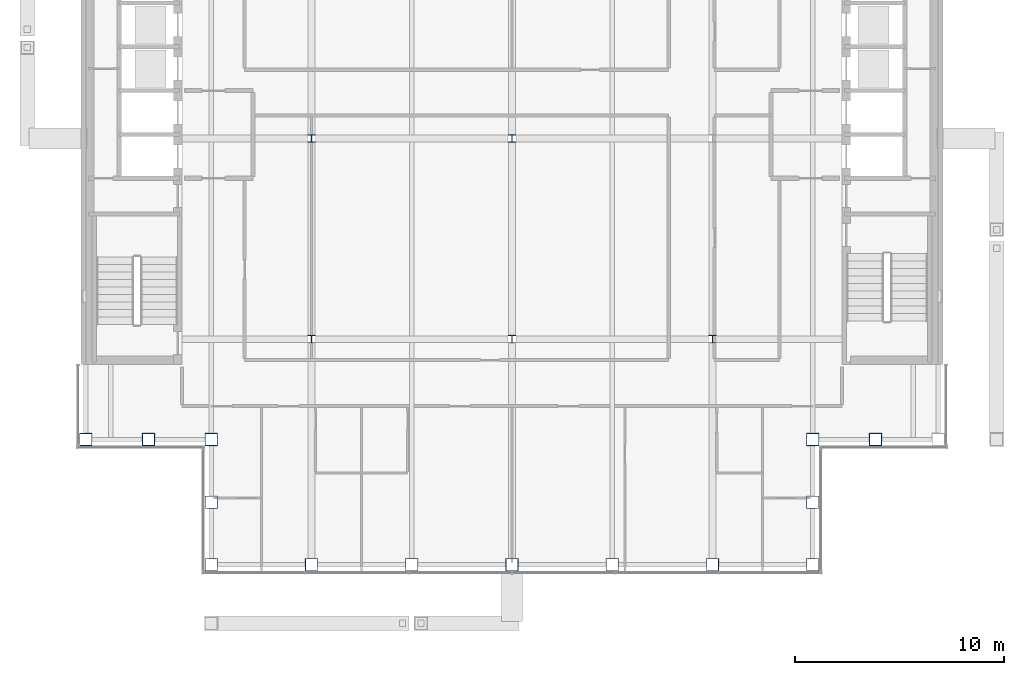
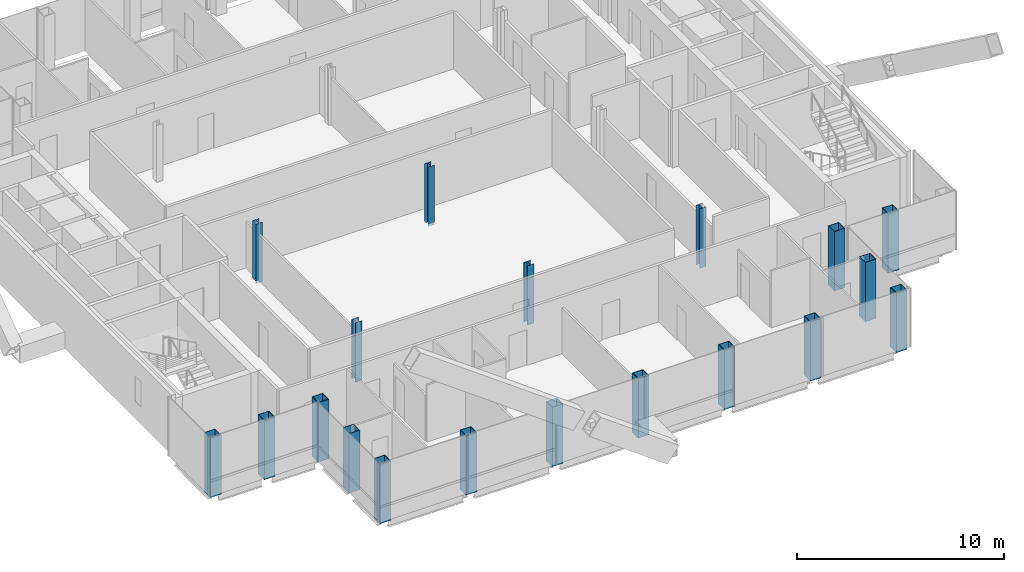
# One storey, part 1 of 15: 19 columns.
"""IFC4 building model written with IfcOpenShell, lengths in metres."""

from ifc_helpers import new_model, si_unit, direction, frame, origin, origin_2d, place, context, subcontext, project, spatial, hollow_rectangle, i_section, extrude, material, material_profile, profile_set, type_object, element, save


model = new_model("IFC4")

# Units and contexts
model_context = context("Model", 3, precision=1e-05, world=origin(), true_north=direction((0.0, 1.0)))
body_context = subcontext(model_context, "Body", "Model", "MODEL_VIEW")
ifc_project = project(units=[si_unit("LENGTHUNIT", "METRE"), si_unit("AREAUNIT", "SQUARE_METRE"), si_unit("VOLUMEUNIT", "CUBIC_METRE"), si_unit("PLANEANGLEUNIT", "RADIAN"), si_unit("MASSUNIT", "GRAM", prefix="KILO")], contexts=[model_context])

# Site, building, storey
site_placement = place(None, origin())
site = spatial("IfcSite", under=ifc_project, at=site_placement, CompositionType="ELEMENT")
building_placement = place(site_placement, origin())
building = spatial("IfcBuilding", under=site, at=building_placement, Name="Cobrizo Arcos Hotel Tower", CompositionType="ELEMENT")
storey_placement = place(building_placement, frame((0.0, 0.0, 244.5)))
storey = spatial("IfcBuildingStorey", under=building, at=storey_placement, Name="L64", CompositionType="ELEMENT", Elevation=244.5)

# Columns
ifc_material_1 = material(Name="Steel ASTM A572 Grade 50", Category="steel")
ifc_material_profile_1 = material_profile(ifc_material_1, hollow_rectangle(XDim=0.60009765625, YDim=0.60009765625, WallThickness=0.030029296875, at=origin_2d()), Name="BOX 600X600X30")
ifc_profile_set_1 = profile_set([ifc_material_profile_1], Name="Steel ASTM A572 Grade 50")
column_type_1 = type_object("IfcColumnType", Name="BOX 600X600X30 column", PredefinedType="COLUMN", material=ifc_profile_set_1)
for number, where, z_axis, x_axis, name in (
    (1, (-14.39990234375, -20.39990234375, -0.14990234375), (0.0, 0.0, 1.0), (1.0, 0.0, 0.0), "Perimeter column C12, L64, no. 01"),
    (2, (-9.60009765625, -20.39990234375, -0.14990234375), (0.0, 0.0, 1.0), (1.0, 0.0, 0.0), "Perimeter column C12, L64, no. 03"),
    (3, (-4.800048828125, -20.39990234375, -0.14990234375), (0.0, 0.0, 1.0), (1.0, 0.0, 0.0), "Perimeter column C12, L64, no. 05"),
    (4, (0.0, -20.39990234375, -0.14990234375), (0.0, 0.0, 1.0), (1.0, 0.0, 0.0), "Perimeter column C12, L64, no. 07"),
    (5, (4.800048828125, -20.39990234375, -0.14990234375), (0.0, 0.0, 1.0), (1.0, 0.0, 0.0), "Perimeter column C12, L64, no. 09"),
    (6, (9.60009765625, -20.39990234375, -0.14990234375), (0.0, 0.0, 1.0), (1.0, 0.0, 0.0), "Perimeter column C12, L64, no. 11"),
    (7, (14.39990234375, -20.39990234375, -0.14990234375), (0.0, 0.0, 1.0), (1.0, 0.0, 0.0), "Perimeter column C12, L64, no. 13"),
    (8, (-20.39990234375, -14.39990234375, -0.14990234375), (0.0, 0.0, 1.0), (1.0, 0.0, 0.0), "Perimeter column C12, L64, no. 15"),
    (9, (-14.39990234375, -14.39990234375, -0.14990234375), (0.0, 0.0, 1.0), (1.0, 0.0, 0.0), "Perimeter column C12, L64, no. 18"),
    (10, (-14.39990234375, -17.39990234375, -0.14990234375), (0.0, 0.0, 1.0), (1.0, 0.0, 0.0), "Perimeter column C12, L64, no. 19"),
    (11, (-17.39990234375, -14.39990234375, -0.14990234375), (0.0, 0.0, 1.0), (1.0, 0.0, 0.0), "Perimeter column C12, L64, no. 20"),
    (12, (14.39990234375, -14.39990234375, -0.14990234375), (0.0, 0.0, 1.0), (1.0, 0.0, 0.0), "Perimeter column C12, L64, no. 24"),
    (13, (14.39990234375, -17.39990234375, -0.14990234375), (0.0, 0.0, 1.0), (1.0, 0.0, 0.0), "Perimeter column C12, L64, no. 25"),
    (14, (17.39990234375, -14.39990234375, -0.14990234375), (0.0, 0.0, 1.0), (1.0, 0.0, 0.0), "Perimeter column C12, L64, no. 26"),
):
    element("IfcColumn", number, at=place(storey_placement, frame(where, z_axis=z_axis, x_axis=x_axis)), inside=storey, type_object=column_type_1, Name=name, PredefinedType="COLUMN", context=body_context, shape_type="SweptSolid", body=[
        extrude(hollow_rectangle(XDim=0.60009765625, YDim=0.60009765625, WallThickness=0.030029296875, at=origin_2d()), origin(), (0.0, 0.0, 1.0), 3.5),
    ])
ifc_material_2 = material(Name="Steel ASTM A992 Grade 50", Category="steel")
ifc_material_profile_2 = material_profile(ifc_material_2, i_section(OverallWidth=0.368408203125, OverallDepth=0.355712890625, WebThickness=0.01123046875, FlangeThickness=0.01806640625, at=origin_2d()), Name="W14X90")
ifc_profile_set_2 = profile_set([ifc_material_profile_2], Name="Steel ASTM A992 Grade 50")
column_type_2 = type_object("IfcColumnType", Name="W14X90 interior column", PredefinedType="COLUMN", material=ifc_profile_set_2)
for number, where, z_axis, x_axis, name in (
    (15, (-9.60009765625, -9.60009765625, -0.14990234375), (0.0, 0.0, 1.0), (1.0, 0.0, 0.0), "Interior column C13, L64, no. 00"),
    (16, (-9.60009765625, 0.0, -0.14990234375), (0.0, 0.0, 1.0), (1.0, 0.0, 0.0), "Interior column C13, L64, no. 01"),
    (17, (0.0, -9.60009765625, -0.14990234375), (0.0, 0.0, 1.0), (1.0, 0.0, 0.0), "Interior column C13, L64, no. 03"),
    (18, (0.0, 0.0, -0.14990234375), (0.0, 0.0, 1.0), (1.0, 0.0, 0.0), "Interior column C13, L64, no. 04"),
    (19, (9.60009765625, -9.60009765625, -0.14990234375), (0.0, 0.0, 1.0), (1.0, 0.0, 0.0), "Interior column C13, L64, no. 06"),
):
    element("IfcColumn", number, at=place(storey_placement, frame(where, z_axis=z_axis, x_axis=x_axis)), inside=storey, type_object=column_type_2, Name=name, PredefinedType="COLUMN", context=body_context, shape_type="SweptSolid", body=[
        extrude(i_section(OverallWidth=0.368408203125, OverallDepth=0.355712890625, WebThickness=0.01123046875, FlangeThickness=0.01806640625, at=origin_2d()), origin(), (0.0, 0.0, 1.0), 3.5),
    ])

save(model, "model.ifc")
